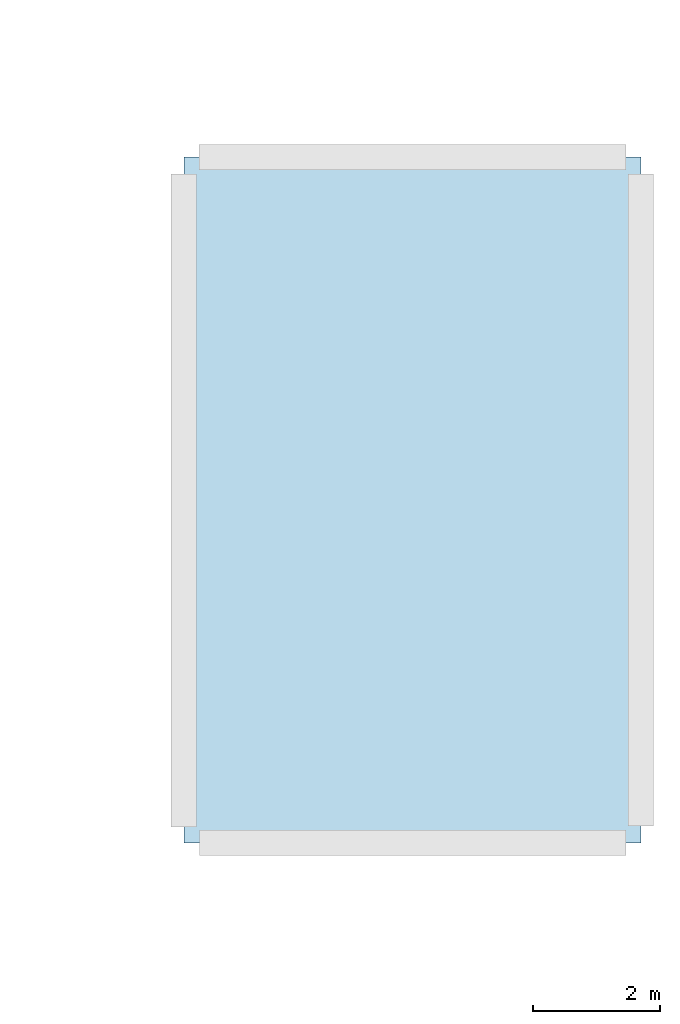
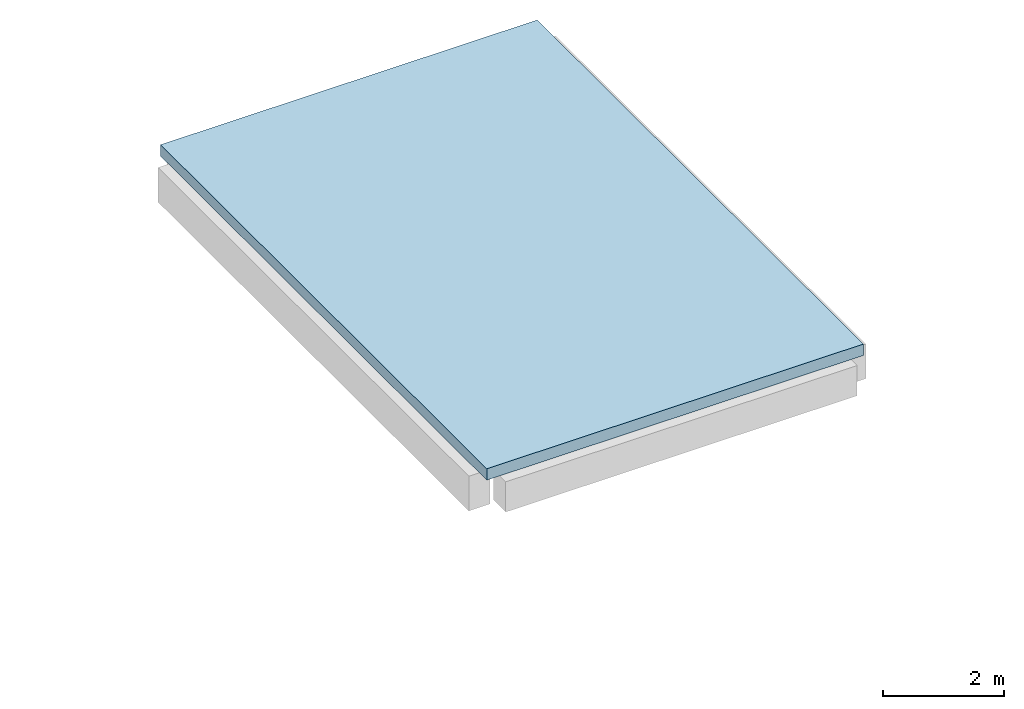
# One storey, part 20 of 33: 1 slab.
"""IFC4 building model written with IfcOpenShell, lengths in metres."""

from ifc_helpers import new_model, si_unit, direction, frame, origin, place, context, subcontext, project, spatial, polyline, outline, extrude, material, layer, layer_set, type_object, element, save


model = new_model("IFC4")

# Units and contexts
model_context = context("Model", 3, precision=1e-05, world=origin(), true_north=direction((0.0, 1.0)))
body_context = subcontext(model_context, "Body", "Model", "MODEL_VIEW")
ifc_project = project(units=[si_unit("LENGTHUNIT", "METRE"), si_unit("AREAUNIT", "SQUARE_METRE"), si_unit("VOLUMEUNIT", "CUBIC_METRE"), si_unit("PLANEANGLEUNIT", "RADIAN"), si_unit("MASSUNIT", "GRAM", prefix="KILO")], contexts=[model_context])

# Site, building, storey
site_placement = place(None, origin())
site = spatial("IfcSite", under=ifc_project, at=site_placement, CompositionType="ELEMENT")
building_placement = place(site_placement, origin())
building = spatial("IfcBuilding", under=site, at=building_placement, Name="Lusvemor Sports Hall", CompositionType="ELEMENT")
storey_placement = place(building_placement, frame((0.0, 0.0, 19.199951171875)))
storey = spatial("IfcBuildingStorey", under=building, at=storey_placement, Name="L04", CompositionType="ELEMENT", Elevation=19.199951171875)

# Slab
ifc_material = material(Name="Concrete C40/50", Category="concrete")
ifc_layer = layer(ifc_material, 0.22998046875)
ifc_layer_set = layer_set([ifc_layer], Name="Concrete C40/50")
slab_type = type_object("IfcSlabType", Name="ROOF_AISLE_235", PredefinedType="ROOF", material=ifc_layer_set)
slab_placement = place(storey_placement, frame((0.0, 0.0, -0.22998046875)))
element("IfcSlab", 1, at=slab_placement, inside=storey, type_object=slab_type, Name="Roof Slab SLAB-ROOF-C5", PredefinedType="ROOF", context=body_context, shape_type="SweptSolid", body=[
    extrude(outline(polyline([(162.0, 104.39990234375), (169.199951171875, 104.39990234375), (169.199951171875, 115.199951171875), (162.0, 115.199951171875), (162.0, 104.39990234375)])), origin(), (0.0, 0.0, 1.0), 0.22998046875),
])

save(model, "model.ifc")
